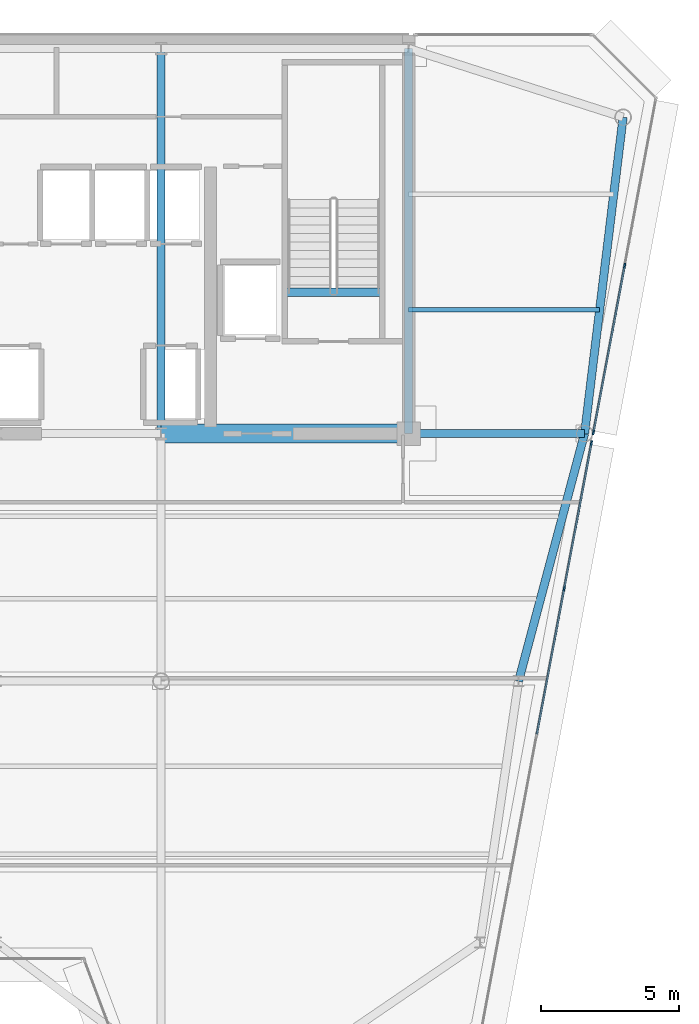
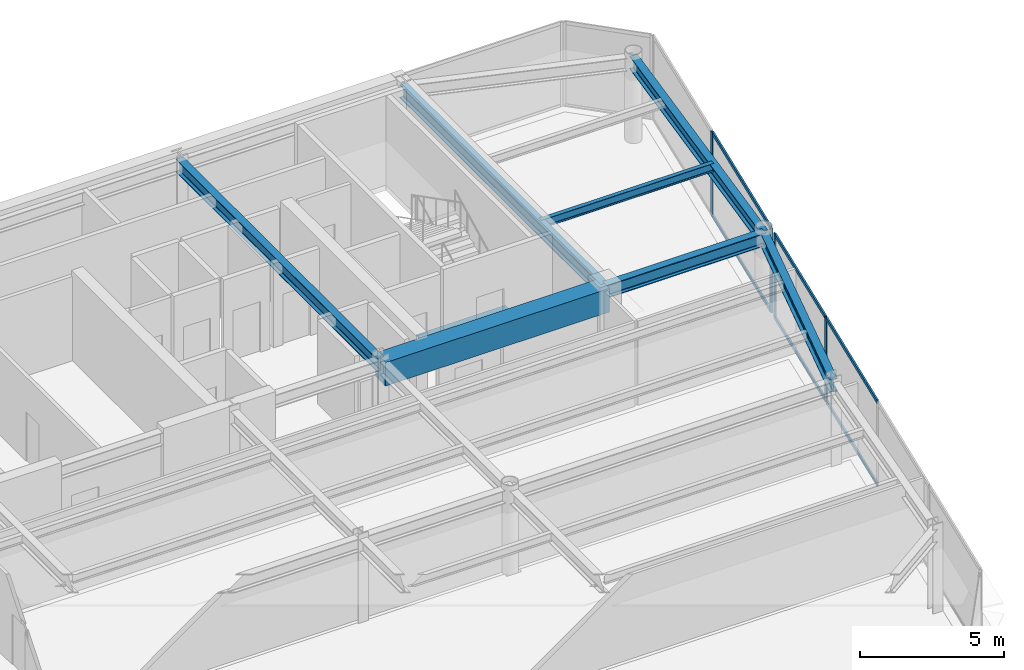
# One storey, part 7 of 20: 10 members, 8 beams, 2 elements without a shape of their own.
"""IFC4 building model written with IfcOpenShell, lengths in metres."""

import ifcopenshell
import ifcopenshell.guid

model = None  # the IFC model being written
_history = None  # IfcOwnerHistory: only IFC2X3 demands one
_inside = {}  # id of a spatial element -> (the spatial element, [elements in it])
_under = {}  # id of a project, library or spatial element -> (it, [spatial elements below it])
_declared = {}  # id of a project -> (the project, [libraries it declares])
_typed = {}  # id of a type object -> (the type object, [elements of that type])
_made_of = {}  # id of a material, layer set ... -> (it, [elements and type objects made of it])


def new_model(schema):
    """Start an empty IFC model of exactly this schema.

    Asked for "IFC4X3", IfcOpenShell would pick the latest addendum, in which some entities
    have other attributes; the version numbers below select the first issue.
    IFC2X3 requires an IfcOwnerHistory on every rooted entity: one is made here for all.
    """
    global model, _history
    if schema == "IFC4X3":
        model = ifcopenshell.file(schema_version=(4, 3, 0, 0))
    else:
        model = ifcopenshell.file(schema=schema)
    _inside.clear()
    _under.clear()
    _declared.clear()
    _typed.clear()
    _made_of.clear()
    _history = None
    if model.schema == "IFC2X3":
        org = make("IfcOrganization", Name="unknown")
        user = make(
            "IfcPersonAndOrganization",
            ThePerson=make("IfcPerson", FamilyName="unknown"),
            TheOrganization=org,
        )
        app = make(
            "IfcApplication",
            ApplicationDeveloper=org,
            Version="unknown",
            ApplicationFullName="unknown",
            ApplicationIdentifier="unknown",
        )
        _history = make(
            "IfcOwnerHistory",
            OwningUser=user,
            OwningApplication=app,
            ChangeAction="ADDED",
            CreationDate=0,
        )
    return model


def make(cls, **values):
    """One entity of the class cls with the attributes given. An attribute that is None is left unset."""
    return model.create_entity(
        cls, **{name: value for name, value in values.items() if value is not None}
    )


def rooted(cls, **values):
    """An entity with a GlobalId (a new one), such as an element, a storey or a relation."""
    return make(cls, GlobalId=ifcopenshell.guid.new(), OwnerHistory=_history, **values)


def si_unit(unit_type, name, prefix=None):
    """IfcSIUnit, for example si_unit("LENGTHUNIT", "METRE", prefix="MILLI")."""
    return make("IfcSIUnit", UnitType=unit_type, Prefix=prefix, Name=name)


def assignment(units):
    """IfcUnitAssignment: the units of a project."""
    return None if units is None else make("IfcUnitAssignment", Units=units)


def point(xyz):
    """IfcCartesianPoint."""
    return None if xyz is None else make("IfcCartesianPoint", Coordinates=xyz)


def direction(xyz):
    """IfcDirection."""
    return None if xyz is None else make("IfcDirection", DirectionRatios=xyz)


def frame(location, z_axis=None, x_axis=None):
    """IfcAxis2Placement3D, a coordinate frame: its origin and axes. An axis left out is left unset."""
    return make(
        "IfcAxis2Placement3D",
        Location=point(location),
        Axis=direction(z_axis),
        RefDirection=direction(x_axis),
    )


def frame_2d(location, x_axis=None):
    """IfcAxis2Placement2D, a coordinate frame in the plane: its origin and x axis."""
    return make(
        "IfcAxis2Placement2D", Location=point(location), RefDirection=direction(x_axis)
    )


def origin():
    """The frame at (0, 0, 0) with its axes left unset."""
    return frame((0.0, 0.0, 0.0))


def origin_2d():
    """The frame at (0, 0) in the plane with its x axis left unset."""
    return frame_2d((0.0, 0.0))


def place(relative_to, where):
    """IfcLocalPlacement: puts the frame where relative to a parent placement (None: the world)."""
    return make(
        "IfcLocalPlacement", PlacementRelTo=relative_to, RelativePlacement=where
    )


def context(
    kind, dimensions, precision=None, world=None, true_north=None, identifier=None
):
    """IfcGeometricRepresentationContext, for example the 3D "Model" context."""
    return make(
        "IfcGeometricRepresentationContext",
        ContextIdentifier=identifier,
        ContextType=kind,
        CoordinateSpaceDimension=dimensions,
        Precision=precision,
        WorldCoordinateSystem=world,
        TrueNorth=true_north,
    )


def subcontext(parent, identifier, kind, view, scale=None):
    """IfcGeometricRepresentationSubContext, for example "Body" below "Model"."""
    return make(
        "IfcGeometricRepresentationSubContext",
        ContextIdentifier=identifier,
        ContextType=kind,
        ParentContext=parent,
        TargetScale=scale,
        TargetView=view,
    )


def project(units=None, contexts=None):
    """IfcProject with its units and contexts."""
    return rooted(
        "IfcProject",
        Name="project",
        RepresentationContexts=contexts,
        UnitsInContext=assignment(units),
    )


def spatial(cls, under=None, at=None, **own):
    """A site, building, storey or space (cls), placed at a placement, below another one or the project."""
    s = rooted(cls, ObjectPlacement=at, **own)
    if under is not None:
        _under.setdefault(under.id(), (under, []))[1].append(s)
    return s


def profile(cls, at=None, kind="AREA", **sizes):
    """A parametric profile (cls). Its sizes go by their IFC names, for example OverallWidth=200.0."""
    return make(cls, ProfileType=kind, Position=at, **sizes)


def rectangle(**sizes):
    """IfcRectangleProfileDef."""
    return profile("IfcRectangleProfileDef", **sizes)


def i_section(**sizes):
    """IfcIShapeProfileDef."""
    return profile("IfcIShapeProfileDef", **sizes)


def extrude(swept, where, along, depth):
    """IfcExtrudedAreaSolid: the profile swept, set in the frame where, extruded along a direction by depth."""
    return make(
        "IfcExtrudedAreaSolid",
        SweptArea=swept,
        Position=where,
        ExtrudedDirection=direction(along),
        Depth=depth,
    )


def shape(context_of_items, identifier, shape_type, items):
    """IfcShapeRepresentation: the items that make up one representation, for example the "Body"."""
    return make(
        "IfcShapeRepresentation",
        ContextOfItems=context_of_items,
        RepresentationIdentifier=identifier,
        RepresentationType=shape_type,
        Items=items,
    )


def source(mapping_origin, context_of_items, identifier, shape_type, items):
    """IfcRepresentationMap: a shape defined once, which mapped items show again and again."""
    return make(
        "IfcRepresentationMap",
        MappingOrigin=mapping_origin,
        MappedRepresentation=shape(context_of_items, identifier, shape_type, items),
    )


def transform(
    local_origin,
    x_axis=None,
    y_axis=None,
    z_axis=None,
    scale=None,
    scale2=None,
    scale3=None,
    uniform=True,
):
    """IfcCartesianTransformationOperator3D, or its non-uniform kind. x_axis, y_axis, z_axis: its Axis1, 2, 3."""
    if uniform:
        return make(
            "IfcCartesianTransformationOperator3D",
            Axis1=direction(x_axis),
            Axis2=direction(y_axis),
            LocalOrigin=point(local_origin),
            Scale=scale,
            Axis3=direction(z_axis),
        )
    return make(
        "IfcCartesianTransformationOperator3DnonUniform",
        Axis1=direction(x_axis),
        Axis2=direction(y_axis),
        LocalOrigin=point(local_origin),
        Scale=scale,
        Axis3=direction(z_axis),
        Scale2=scale2,
        Scale3=scale3,
    )


def mapped(mapping_source, mapping_target):
    """IfcMappedItem: shows the shape of a source again, moved by a transform."""
    return make(
        "IfcMappedItem", MappingSource=mapping_source, MappingTarget=mapping_target
    )


def material(Name=None, Category=None):
    """IfcMaterial."""
    return make("IfcMaterial", Name=Name, Category=Category)


def layer(
    of_material, thickness, ventilated=None, Name=None, Category=None, Priority=None
):
    """IfcMaterialLayer: one layer of a wall or slab, of a material (None: an air gap)."""
    return make(
        "IfcMaterialLayer",
        Material=of_material,
        LayerThickness=thickness,
        IsVentilated=ventilated,
        Name=Name,
        Category=Category,
        Priority=Priority,
    )


def layer_set(layers, Name=None):
    """IfcMaterialLayerSet."""
    return make("IfcMaterialLayerSet", MaterialLayers=layers, LayerSetName=Name)


def material_profile(
    of_material, cross_section, Name=None, Category=None, Priority=None
):
    """IfcMaterialProfile: a cross section and its material."""
    return make(
        "IfcMaterialProfile",
        Name=Name,
        Material=of_material,
        Profile=cross_section,
        Priority=Priority,
        Category=Category,
    )


def profile_set(profiles, Name=None, composite=None):
    """IfcMaterialProfileSet."""
    return make(
        "IfcMaterialProfileSet",
        Name=Name,
        MaterialProfiles=profiles,
        CompositeProfile=composite,
    )


def made_of(thing, what):
    """Note that an element or type object is made of a material, layer set ...; save() writes the relation."""
    if what is not None:
        _made_of.setdefault(what.id(), (what, []))[1].append(thing)
    return thing


def type_object(cls, material=None, **own):
    """A type object (cls), such as IfcWallType, which elements share."""
    return made_of(rooted(cls, **own), material)


def element(
    cls,
    number,
    at=None,
    inside=None,
    cuts=None,
    type_object=None,
    material=None,
    context=None,
    identifier="Body",
    shape_type=None,
    held_by="IfcProductDefinitionShape",
    body=None,
    shapes=None,
    **own,
):
    """One element of the class cls, such as IfcWall. Its Tag is "e" and its number.

    at: its placement. inside: the storey or other place that contains it. cuts: it is an
    opening in that element (IfcRelVoidsElement). A single representation is given by context,
    identifier, shape_type and body (its items); several are given by shapes. held_by: the class
    of the entity that holds the representations. save() writes the other relations.
    """
    e = rooted(cls, Tag="e%d" % number, ObjectPlacement=at, **own)
    if body is not None:
        shapes = [shape(context, identifier, shape_type, body)]
    if shapes is not None:
        e.Representation = make(held_by, Representations=shapes)
    if inside is not None:
        _inside.setdefault(inside.id(), (inside, []))[1].append(e)
    if cuts is not None:
        rooted(
            "IfcRelVoidsElement", RelatingBuildingElement=cuts, RelatedOpeningElement=e
        )
    if type_object is not None:
        _typed.setdefault(type_object.id(), (type_object, []))[1].append(e)
    return made_of(e, material)


def aggregate(whole, parts):
    """IfcRelAggregates: a whole, such as a stair, and the parts it consists of."""
    return rooted("IfcRelAggregates", RelatingObject=whole, RelatedObjects=parts)


def save(model, path):
    """Write the relations noted so far, then the file.

    IfcRelAggregates (storeys below a building ...), IfcRelContainedInSpatialStructure (elements
    in a storey), IfcRelDefinesByType, IfcRelAssociatesMaterial and IfcRelDeclares: one each for
    every whole, place, type object, material and project.
    """
    for whole, parts in _under.values():
        aggregate(whole, parts)
    for where, things in _inside.values():
        rooted(
            "IfcRelContainedInSpatialStructure",
            RelatedElements=things,
            RelatingStructure=where,
        )
    for kind, things in _typed.values():
        rooted("IfcRelDefinesByType", RelatedObjects=things, RelatingType=kind)
    for what, things in _made_of.values():
        rooted("IfcRelAssociatesMaterial", RelatedObjects=things, RelatingMaterial=what)
    for by, libraries in _declared.values():
        rooted("IfcRelDeclares", RelatingContext=by, RelatedDefinitions=libraries)
    model.write(path)


model = new_model("IFC4")

# Units and contexts
model_context = context("Model", 3, precision=1e-05, world=origin(), true_north=direction((0.0, 1.0)))
body_context = subcontext(model_context, "Body", "Model", "MODEL_VIEW")
ifc_project = project(units=[si_unit("LENGTHUNIT", "METRE"), si_unit("AREAUNIT", "SQUARE_METRE"), si_unit("VOLUMEUNIT", "CUBIC_METRE"), si_unit("PLANEANGLEUNIT", "RADIAN"), si_unit("MASSUNIT", "GRAM", prefix="KILO")], contexts=[model_context])

# Site, building, storey
site_placement = place(None, origin())
site = spatial("IfcSite", under=ifc_project, at=site_placement, CompositionType="ELEMENT")
building_placement = place(site_placement, origin())
building = spatial("IfcBuilding", under=site, at=building_placement, Name="Vaeldorn Concourse Tower", CompositionType="ELEMENT")
storey_placement = place(building_placement, frame((0.0, 0.0, 268.800048828125)))
storey = spatial("IfcBuildingStorey", under=building, at=storey_placement, Name="L69", CompositionType="ELEMENT", Elevation=268.800048828125)

# Beams
ifc_material_1 = material(Name="Concrete C50/60", Category="concrete")
ifc_material_profile_1 = material_profile(ifc_material_1, rectangle(XDim=0.699951171875, YDim=1.0, at=origin_2d()), Name="RC 700x1000")
ifc_profile_set_1 = profile_set([ifc_material_profile_1], Name="Concrete C50/60")
beam_type_1 = type_object("IfcBeamType", Name="BM-CB-RC700", PredefinedType="BEAM", material=ifc_profile_set_1)
shared_shape_1 = source(origin(), body_context, "Body", "SweptSolid", [
    extrude(rectangle(XDim=0.699951171875, YDim=1.0, at=origin_2d()), origin(), (0.0, 0.0, 1.0), 9.0),
])
beam_1_placement = place(storey_placement, frame((45.0, 36.5, 3.079833984375), z_axis=(1.0, 0.0, 0.0), x_axis=(0.0, 1.0, 0.0)))
element("IfcBeam", 1, at=beam_1_placement, inside=storey, type_object=beam_type_1, Name="Core Coupling Beam L69-2", PredefinedType="BEAM", context=body_context, shape_type="MappedRepresentation", body=[
    mapped(shared_shape_1, transform((0.0, 0.0, 0.0), scale=1.0)),
])
ifc_material_2 = material(Name="Steel S355", Category="steel")
ifc_material_profile_2 = material_profile(ifc_material_2, i_section(OverallWidth=0.300048828125, OverallDepth=0.340087890625, WebThickness=0.011962890625, FlangeThickness=0.021484375, FilletRadius=0.027099609375, at=origin_2d()), Name="HEB 340")
ifc_profile_set_2 = profile_set([ifc_material_profile_2], Name="Steel S355")
beam_type_2 = type_object("IfcBeamType", Name="BM-ST-TRIM", PredefinedType="BEAM", material=ifc_profile_set_2)
shared_shape_2 = source(origin(), body_context, "Body", "SweptSolid", [
    extrude(i_section(OverallWidth=0.300048828125, OverallDepth=0.340087890625, WebThickness=0.011962890625, FlangeThickness=0.021484375, FilletRadius=0.027099609375, at=origin_2d()), origin(), (0.0, 0.0, 1.0), 3.590087890625),
])
beam_2_placement = place(storey_placement, frame((49.47998046875, 41.639892578125, -0.39013671875), z_axis=(1.0, 0.0, 0.0), x_axis=(0.0, 1.0, 0.0)))
element("IfcBeam", 2, at=beam_2_placement, inside=storey, type_object=beam_type_2, Name="Stair Landing Trimmer Beam ST-2 L69", PredefinedType="BEAM", context=body_context, shape_type="MappedRepresentation", body=[
    mapped(shared_shape_2, transform((0.0, 0.0, 0.0), scale=1.0)),
])
ifc_material_profile_3 = material_profile(ifc_material_2, i_section(OverallWidth=0.300048828125, OverallDepth=0.550048828125, WebThickness=0.014892578125, FlangeThickness=0.029052734375, FilletRadius=0.027099609375, at=origin_2d()), Name="HEB 550")
ifc_profile_set_3 = profile_set([ifc_material_profile_3], Name="Steel S355")
beam_type_3 = type_object("IfcBeamType", Name="BM-PG-HEB550", PredefinedType="BEAM", material=ifc_profile_set_3)
shared_shape_3 = source(origin(), body_context, "Body", "SweptSolid", [
    extrude(i_section(OverallWidth=0.300048828125, OverallDepth=0.550048828125, WebThickness=0.014892578125, FlangeThickness=0.029052734375, FilletRadius=0.027099609375, at=origin_2d()), origin(), (0.0, 0.0, 1.0), 14.0),
])
for number, where, z_axis, x_axis, name in (
    (3, (45.0, 36.5, 3.304931640625), (0.0, 1.0, 0.0), (-1.0, 0.0, 0.0), "Beam BM-L69-C-FC5-C-HC4"),
    (4, (54.0, 36.5, 3.304931640625), (0.0, 1.0, 0.0), (-1.0, 0.0, 0.0), "Beam BM-L69-C-FC6-C-HC5"),
):
    element("IfcBeam", number, at=place(storey_placement, frame(where, z_axis=z_axis, x_axis=x_axis)), inside=storey, type_object=beam_type_3, Name=name, PredefinedType="BEAM", context=body_context, shape_type="MappedRepresentation", body=[
        mapped(shared_shape_3, transform((0.0, 0.0, 0.0), scale=1.0)),
    ])
shared_shape_4 = source(origin(), body_context, "Body", "SweptSolid", [
    extrude(i_section(OverallWidth=0.300048828125, OverallDepth=0.550048828125, WebThickness=0.014892578125, FlangeThickness=0.029052734375, FilletRadius=0.027099609375, at=origin_2d()), origin(), (0.0, 0.0, 1.0), 11.5849609375),
])
beam_3_placement = place(storey_placement, frame((61.800048828125, 48.0, 3.304931640625), z_axis=(-0.120859382899, -0.992669637677, 0.0), x_axis=(0.992669637677, -0.120859382899, 0.0)))
element("IfcBeam", 5, at=beam_3_placement, inside=storey, type_object=beam_type_3, Name="Beam BM-L69-C-NE1-C-NE2", PredefinedType="BEAM", context=body_context, shape_type="MappedRepresentation", body=[
    mapped(shared_shape_4, transform((0.0, 0.0, 0.0), scale=1.0)),
])
shared_shape_5 = source(origin(), body_context, "Body", "SweptSolid", [
    extrude(i_section(OverallWidth=0.300048828125, OverallDepth=0.550048828125, WebThickness=0.014892578125, FlangeThickness=0.029052734375, FilletRadius=0.027099609375, at=origin_2d()), origin(), (0.0, 0.0, 1.0), 6.39990234375),
])
beam_4_placement = place(storey_placement, frame((54.0, 36.5, 3.304931640625), z_axis=(1.0, 0.0, 0.0), x_axis=(0.0, 1.0, 0.0)))
element("IfcBeam", 6, at=beam_4_placement, inside=storey, type_object=beam_type_3, Name="Beam BM-L69-C-FC6-C-NE2", PredefinedType="BEAM", context=body_context, shape_type="MappedRepresentation", body=[
    mapped(shared_shape_5, transform((0.0, 0.0, 0.0), scale=1.0)),
])
shared_shape_6 = source(origin(), body_context, "Body", "SweptSolid", [
    extrude(i_section(OverallWidth=0.300048828125, OverallDepth=0.550048828125, WebThickness=0.014892578125, FlangeThickness=0.029052734375, FilletRadius=0.027099609375, at=origin_2d()), origin(), (0.0, 0.0, 1.0), 9.314453125),
])
beam_5_placement = place(storey_placement, frame((60.39990234375, 36.5, 3.304931640625), z_axis=(-0.257652862255, -0.966237549763, 0.0), x_axis=(0.966237549763, -0.257652862255, 0.0)))
element("IfcBeam", 7, at=beam_5_placement, inside=storey, type_object=beam_type_3, Name="Beam BM-L69-C-NE2-C-FLE1", PredefinedType="BEAM", context=body_context, shape_type="MappedRepresentation", body=[
    mapped(shared_shape_6, transform((0.0, 0.0, 0.0), scale=1.0)),
])
ifc_material_profile_4 = material_profile(ifc_material_2, i_section(OverallWidth=0.169921875, OverallDepth=0.360107421875, WebThickness=0.008056640625, FlangeThickness=0.0126953125, FilletRadius=0.01806640625, at=origin_2d()), Name="IPE 360")
ifc_profile_set_4 = profile_set([ifc_material_profile_4], Name="Steel S355")
beam_type_4 = type_object("IfcBeamType", Name="BM-JS-IPE360", PredefinedType="JOIST", material=ifc_profile_set_4)
shared_shape_7 = source(origin(), body_context, "Body", "SweptSolid", [
    extrude(i_section(OverallWidth=0.169921875, OverallDepth=0.360107421875, WebThickness=0.008056640625, FlangeThickness=0.0126953125, FilletRadius=0.01806640625, at=origin_2d()), origin(), (0.0, 0.0, 1.0), 6.94775390625),
])
beam_6_placement = place(storey_placement, frame((54.0, 41.0, 3.39990234375), z_axis=(1.0, 0.0, 0.0), x_axis=(0.0, 1.0, 0.0)))
element("IfcBeam", 8, at=beam_6_placement, inside=storey, type_object=beam_type_4, Name="Beam JS-L69-NE-410", PredefinedType="JOIST", context=body_context, shape_type="MappedRepresentation", body=[
    mapped(shared_shape_7, transform((0.0, 0.0, 0.0), scale=1.0)),
])

# Curtain wall, members
ifc_material_3 = material(Name="Anodised Bronze Aluminium", Category="aluminium")
ifc_layer = layer(ifc_material_3, 0.2099609375)
ifc_layer_set = layer_set([ifc_layer], Name="Anodised Bronze Aluminium")
curtain_wall_type = type_object("IfcCurtainWallType", Name="CW-SYS-06", PredefinedType="NOTDEFINED", material=ifc_layer_set)
curtain_wall_1_placement = place(storey_placement, origin())
curtain_wall_1 = element("IfcCurtainWall", 9, at=curtain_wall_1_placement, inside=storey, type_object=curtain_wall_type, Name="Unitised Curtain Wall CW-L69-E07-1", PredefinedType="NOTDEFINED")
ifc_material_profile_5 = material_profile(ifc_material_3, rectangle(XDim=0.06494140625, YDim=0.169921875, at=origin_2d()), Name="CWM 65x170")
ifc_profile_set_5 = profile_set([ifc_material_profile_5], Name="Anodised Bronze Aluminium")
member_type_1 = type_object("IfcMemberType", Name="CWM-BRONZE-170", PredefinedType="MULLION", material=ifc_profile_set_5)
shared_shape_8 = source(origin(), body_context, "Body", "SweptSolid", [
    extrude(rectangle(XDim=0.06494140625, YDim=0.169921875, at=origin_2d()), origin(), (0.0, 0.0, 1.0), 3.579833984375),
])
member_1_placement = place(storey_placement, frame((59.656494140625, 30.86376953125, 0.0), z_axis=(0.0, 0.0, 1.0), x_axis=(-0.982880027444, 0.184246714088, 0.0)))
member_1 = element("IfcMember", 10, at=member_1_placement, type_object=member_type_1, Name="CW-06 mullion 4", PredefinedType="MULLION", context=body_context, shape_type="MappedRepresentation", body=[
    mapped(shared_shape_8, transform((0.0, 0.0, 0.0), scale=1.0)),
])
member_2_placement = place(storey_placement, frame((60.64794921875, 36.153076171875, 0.0), z_axis=(0.0, 0.0, 1.0), x_axis=(-0.982880027444, 0.184246714088, 0.0)))
member_2 = element("IfcMember", 11, at=member_2_placement, type_object=member_type_1, Name="CW-06 mullion 5", PredefinedType="MULLION", context=body_context, shape_type="MappedRepresentation", body=[
    mapped(shared_shape_8, transform((0.0, 0.0, 0.0), scale=1.0)),
])

curtain_wall_2_placement = place(storey_placement, origin())
curtain_wall_2 = element("IfcCurtainWall", 12, at=curtain_wall_2_placement, inside=storey, type_object=curtain_wall_type, Name="Unitised Curtain Wall CW-L69-E07-2", PredefinedType="NOTDEFINED")
member_3_placement = place(storey_placement, frame((60.720947265625, 36.542236328125, 0.0), z_axis=(0.0, 0.0, 1.0), x_axis=(-0.982880218842, 0.184245693053, 0.0)))
member_3 = element("IfcMember", 13, at=member_3_placement, type_object=member_type_1, Name="CW-06 mullion 1", PredefinedType="MULLION", context=body_context, shape_type="MappedRepresentation", body=[
    mapped(shared_shape_8, transform((0.0, 0.0, 0.0), scale=1.0)),
])
member_4_placement = place(storey_placement, frame((61.857421875, 42.605224609375, 0.0), z_axis=(0.0, 0.0, 1.0), x_axis=(-0.982880218842, 0.184245693053, 0.0)))
member_4 = element("IfcMember", 14, at=member_4_placement, type_object=member_type_1, Name="CW-06 mullion 2", PredefinedType="MULLION", context=body_context, shape_type="MappedRepresentation", body=[
    mapped(shared_shape_8, transform((0.0, 0.0, 0.0), scale=1.0)),
])

# Member
ifc_material_profile_6 = material_profile(ifc_material_3, rectangle(XDim=0.06494140625, YDim=0.14990234375, at=origin_2d()), Name="CWT 65x150")
ifc_profile_set_6 = profile_set([ifc_material_profile_6], Name="Anodised Bronze Aluminium")
member_type_2 = type_object("IfcMemberType", Name="CWT-BRONZE-150", PredefinedType="USERDEFINED", material=ifc_profile_set_6)
shared_shape_9 = source(origin(), body_context, "Body", "SweptSolid", [
    extrude(rectangle(XDim=0.06494140625, YDim=0.14990234375, at=origin_2d()), origin(), (0.0, 0.0, 1.0), 5.31640625),
])
member_5_placement = place(storey_placement, frame((59.66259765625, 30.895751953125, 0.032470703125), z_axis=(0.184241399207, 0.982881023735, 0.0), x_axis=(-0.982881023735, 0.184241399207, 0.0)))
member_5 = element("IfcMember", 15, at=member_5_placement, type_object=member_type_2, Name="CW-06 transom 4.1", ObjectType="TRANSOM", PredefinedType="USERDEFINED", context=body_context, shape_type="MappedRepresentation", body=[
    mapped(shared_shape_9, transform((0.0, 0.0, 0.0), scale=1.0)),
])

member_6_placement = place(storey_placement, frame((59.66259765625, 30.895751953125, 3.54736328125), z_axis=(0.184241399207, 0.982881023735, 0.0), x_axis=(-0.982881023735, 0.184241399207, 0.0)))
member_6 = element("IfcMember", 16, at=member_6_placement, type_object=member_type_2, Name="CW-06 transom 4.2", ObjectType="TRANSOM", PredefinedType="USERDEFINED", context=body_context, shape_type="MappedRepresentation", body=[
    mapped(shared_shape_9, transform((0.0, 0.0, 0.0), scale=1.0)),
])

shared_shape_10 = source(origin(), body_context, "Body", "SweptSolid", [
    extrude(rectangle(XDim=0.06494140625, YDim=0.14990234375, at=origin_2d()), origin(), (0.0, 0.0, 1.0), 5.348876953125),
])
member_7_placement = place(storey_placement, frame((58.6650390625, 25.574462890625, 0.032470703125), z_axis=(0.184216882988, 0.982885618993, 0.0), x_axis=(-0.982885618993, 0.184216882988, 0.0)))
member_7 = element("IfcMember", 17, at=member_7_placement, type_object=member_type_2, Name="CW-06 transom 3.1", ObjectType="TRANSOM", PredefinedType="USERDEFINED", context=body_context, shape_type="MappedRepresentation", body=[
    mapped(shared_shape_10, transform((0.0, 0.0, 0.0), scale=1.0)),
])

member_8_placement = place(storey_placement, frame((58.6650390625, 25.574462890625, 3.54736328125), z_axis=(0.184216882988, 0.982885618993, 0.0), x_axis=(-0.982885618993, 0.184216882988, 0.0)))
member_8 = element("IfcMember", 18, at=member_8_placement, type_object=member_type_2, Name="CW-06 transom 3.2", ObjectType="TRANSOM", PredefinedType="USERDEFINED", context=body_context, shape_type="MappedRepresentation", body=[
    mapped(shared_shape_10, transform((0.0, 0.0, 0.0), scale=1.0)),
])

aggregate(curtain_wall_1, [member_1, member_2, member_7, member_8, member_5, member_6])

shared_shape_11 = source(origin(), body_context, "Body", "SweptSolid", [
    extrude(rectangle(XDim=0.06494140625, YDim=0.14990234375, at=origin_2d()), origin(), (0.0, 0.0, 1.0), 6.103515625),
])
member_9_placement = place(storey_placement, frame((60.72705078125, 36.57421875, 0.032470703125), z_axis=(0.18424023288, 0.982881242363, 0.0), x_axis=(-0.982881242363, 0.18424023288, 0.0)))
member_9 = element("IfcMember", 19, at=member_9_placement, type_object=member_type_2, Name="CW-06 transom 1.1", ObjectType="TRANSOM", PredefinedType="USERDEFINED", context=body_context, shape_type="MappedRepresentation", body=[
    mapped(shared_shape_11, transform((0.0, 0.0, 0.0), scale=1.0)),
])

member_10_placement = place(storey_placement, frame((60.72705078125, 36.57421875, 3.54736328125), z_axis=(0.18424023288, 0.982881242363, 0.0), x_axis=(-0.982881242363, 0.18424023288, 0.0)))
member_10 = element("IfcMember", 20, at=member_10_placement, type_object=member_type_2, Name="CW-06 transom 1.2", ObjectType="TRANSOM", PredefinedType="USERDEFINED", context=body_context, shape_type="MappedRepresentation", body=[
    mapped(shared_shape_11, transform((0.0, 0.0, 0.0), scale=1.0)),
])

aggregate(curtain_wall_2, [member_3, member_4, member_9, member_10])

save(model, "model.ifc")
